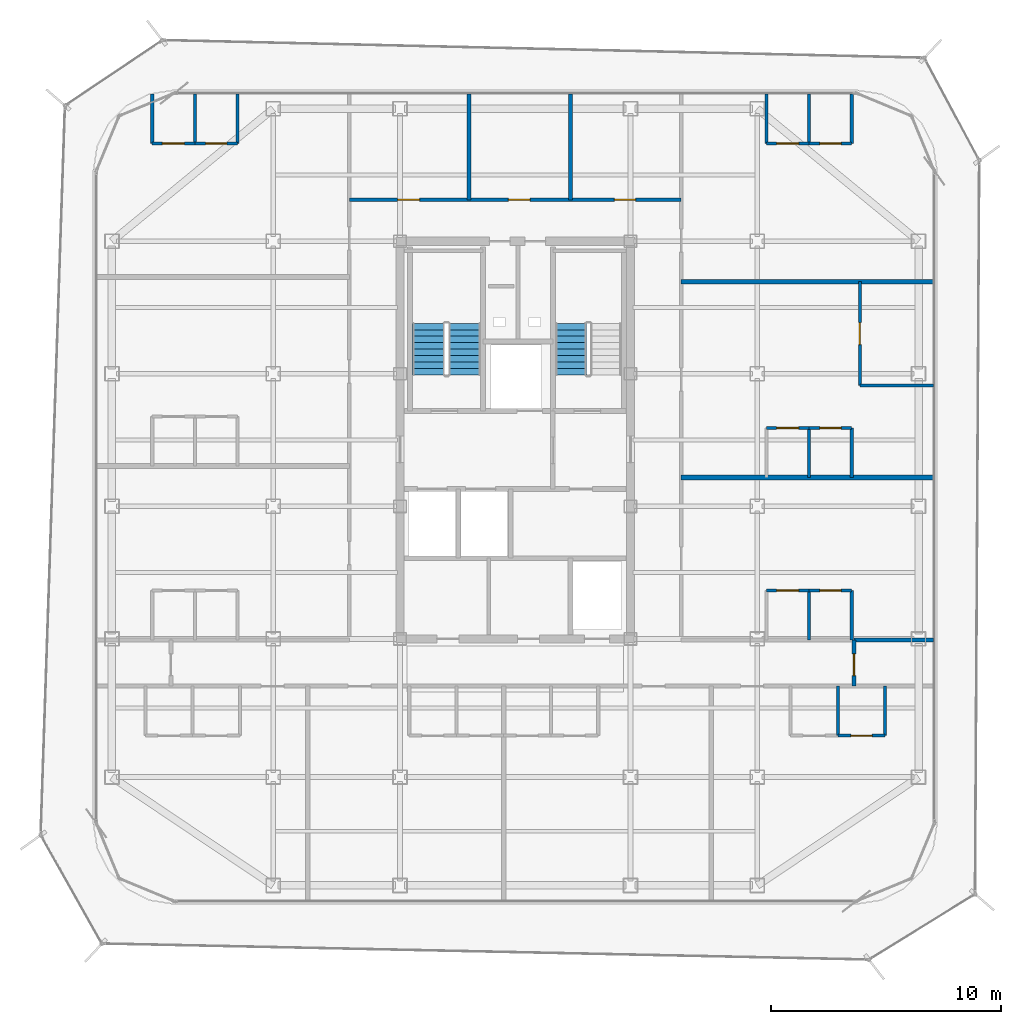
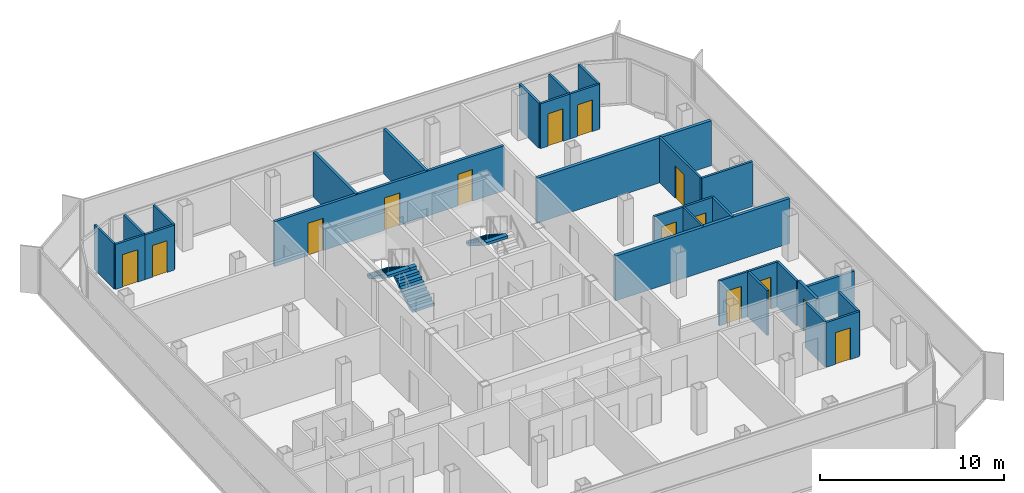
# One storey, part 12 of 16: 30 walls, 14 doors, 3 stair flights, 14 openings, 2 elements without a shape of their own.
"""IFC4 building model written with IfcOpenShell, lengths in metres."""

from ifc_helpers import new_model, si_unit, direction, frame, frame_2d, origin, place, context, subcontext, project, spatial, polyline, rectangle, outline, extrude, material, layer, layer_set, type_object, element, fill, aggregate, save


model = new_model("IFC4")

# Units and contexts
model_context = context("Model", 3, precision=1e-05, world=origin(), true_north=direction((0.0, 1.0)))
body_context = subcontext(model_context, "Body", "Model", "MODEL_VIEW")
ifc_project = project(units=[si_unit("LENGTHUNIT", "METRE"), si_unit("AREAUNIT", "SQUARE_METRE"), si_unit("VOLUMEUNIT", "CUBIC_METRE"), si_unit("PLANEANGLEUNIT", "RADIAN"), si_unit("MASSUNIT", "GRAM", prefix="KILO")], contexts=[model_context])

# Site, building, storey
site_placement = place(None, origin())
site = spatial("IfcSite", under=ifc_project, at=site_placement, CompositionType="ELEMENT")
building_placement = place(site_placement, origin())
building = spatial("IfcBuilding", under=site, at=building_placement, Name="Kolveth Station Tower", CompositionType="ELEMENT")
storey_placement = place(building_placement, frame((0.0, 0.0, 232.89990234375)))
storey = spatial("IfcBuildingStorey", under=building, at=storey_placement, Name="L66", CompositionType="ELEMENT", Elevation=232.89990234375)

# Wall, opening, door
ifc_material_1 = material(Name="Moisture-resistant gypsum partition")
ifc_layer_1 = layer(ifc_material_1, 0.135009765625)
ifc_layer_set_1 = layer_set([ifc_layer_1], Name="Moisture-resistant gypsum partition")
wall_type_1 = type_object("IfcWallType", Name="Wall_IW-135", PredefinedType="PARTITIONING", material=ifc_layer_set_1)
wall_1_placement = place(storey_placement, frame((37.5, 7.300048828125, 0.0), z_axis=(0.0, 0.0, 1.0), x_axis=(1.0, 0.0, 0.0)))
wall_1 = element("IfcWall", 1, at=wall_1_placement, inside=storey, type_object=wall_type_1, Name="L66 Partition Wall WL-L66-A4-IBHB", PredefinedType="PARTITIONING", context=body_context, shape_type="SweptSolid", body=[
    extrude(rectangle(XDim=2.050048828125, YDim=0.135009765625, at=frame_2d((1.02490234375, 0.0))), origin(), (0.0, 0.0, 1.0), 2.97998046875),
])
opening_1_placement = place(wall_1_placement, frame((0.56494140625, 0.0, 0.0)))
opening_1 = element("IfcOpeningElement", 2, at=opening_1_placement, cuts=wall_1, Name="Opening ID2", PredefinedType="OPENING", context=body_context, shape_type="SweptSolid", body=[
    extrude(rectangle(XDim=0.919921875, YDim=2.10009765625, at=frame_2d((0.4599609375, 1.050048828125))), frame((0.0, 0.077392578125, 0.0), z_axis=(0.0, -1.0, 0.0), x_axis=(1.0, 0.0, 0.0)), (0.0, 0.0, 1.0), 0.155029296875),
])
ifc_material_2 = material(Name="Moisture-resistant hardwood leaf", Category="wood")
door_type_1 = type_object("IfcDoorType", Name="Door_ID2", OperationType="NOTDEFINED", PredefinedType="DOOR", material=ifc_material_2)
door_1_placement = place(opening_1_placement, origin())
door_1 = element("IfcDoor", 3, at=door_1_placement, inside=storey, type_object=door_type_1, Name="Flat L66-A4 Bathroom Door", OperationType="SINGLE_SWING_RIGHT", OverallHeight=2.10009765625, OverallWidth=0.919921875, PredefinedType="DOOR", context=body_context, shape_type="SweptSolid", body=[
    extrude(rectangle(XDim=0.919921875, YDim=2.10009765625, at=frame_2d((0.4599609375, 1.050048828125))), frame((0.0, 0.02490234375, 0.0), z_axis=(0.0, -1.0, 0.0), x_axis=(1.0, 0.0, 0.0)), (0.0, 0.0, 1.0), 0.050048828125),
])
fill(opening_1, door_1)

# Walls
for number, where, z_axis, x_axis, name in (
    (4, (37.5, 7.300048828125, 0.0), (0.0, 0.0, 1.0), (0.0, 1.0, 0.0), "L66 Partition Wall WL-L66-A4-IBV1"),
    (5, (39.550048828125, 7.300048828125, 0.0), (0.0, 0.0, 1.0), (0.0, 1.0, 0.0), "L66 Partition Wall WL-L66-A4-IBV2"),
):
    element("IfcWall", number, at=place(storey_placement, frame(where, z_axis=z_axis, x_axis=x_axis)), inside=storey, type_object=wall_type_1, Name=name, PredefinedType="PARTITIONING", context=body_context, shape_type="SweptSolid", body=[
        extrude(rectangle(XDim=2.14990234375, YDim=0.135009765625, at=frame_2d((1.074951171875, 0.0))), origin(), (0.0, 0.0, 1.0), 2.97998046875),
    ])

# Wall, opening, door
wall_2_placement = place(storey_placement, frame((7.75, 32.989990234375, 0.0), z_axis=(0.0, 0.0, 1.0), x_axis=(1.0, 0.0, 0.0)))
wall_2 = element("IfcWall", 6, at=wall_2_placement, inside=storey, type_object=wall_type_1, Name="L66 Partition Wall WL-L66-W3-IBHK", PredefinedType="PARTITIONING", context=body_context, shape_type="SweptSolid", body=[
    extrude(rectangle(XDim=1.85009765625, YDim=0.135009765625, at=frame_2d((0.925048828125, 0.0))), origin(), (0.0, 0.0, 1.0), 2.97998046875),
])
opening_2_placement = place(wall_2_placement, frame((0.445068359375, 0.0, 0.0)))
opening_2 = element("IfcOpeningElement", 7, at=opening_2_placement, cuts=wall_2, Name="Opening ID1", PredefinedType="OPENING", context=body_context, shape_type="SweptSolid", body=[
    extrude(rectangle(XDim=0.949951171875, YDim=2.14990234375, at=frame_2d((0.47509765625, 1.074951171875))), frame((0.0, 0.077392578125, 0.0), z_axis=(0.0, -1.0, 0.0), x_axis=(1.0, 0.0, 0.0)), (0.0, 0.0, 1.0), 0.155029296875),
])
ifc_material_3 = material(Name="Acoustic hardwood leaf and aluminium frame", Category="wood")
door_type_2 = type_object("IfcDoorType", Name="Door_ID1", OperationType="NOTDEFINED", PredefinedType="DOOR", material=ifc_material_3)
door_2_placement = place(opening_2_placement, frame((0.949951171875, 0.0, 0.0), z_axis=(0.0, 0.0, 1.0), x_axis=(-1.0, 0.0, 0.0)))
door_2 = element("IfcDoor", 8, at=door_2_placement, inside=storey, type_object=door_type_2, Name="Flat L66-W3 Kitchen Door", OperationType="SINGLE_SWING_RIGHT", OverallHeight=2.14990234375, OverallWidth=0.949951171875, PredefinedType="DOOR", context=body_context, shape_type="SweptSolid", body=[
    extrude(rectangle(XDim=0.949951171875, YDim=2.14990234375, at=frame_2d((0.47509765625, 1.074951171875))), frame((0.0, 0.02490234375, 0.0), z_axis=(0.0, -1.0, 0.0), x_axis=(1.0, 0.0, 0.0)), (0.0, 0.0, 1.0), 0.050048828125),
])
fill(opening_2, door_2)

wall_3_placement = place(storey_placement, frame((9.60009765625, 32.989990234375, 0.0), z_axis=(0.0, 0.0, 1.0), x_axis=(1.0, 0.0, 0.0)))
wall_3 = element("IfcWall", 9, at=wall_3_placement, inside=storey, type_object=wall_type_1, Name="L66 Partition Wall WL-L66-W3-IBHB", PredefinedType="PARTITIONING", context=body_context, shape_type="SweptSolid", body=[
    extrude(rectangle(XDim=1.849853515625, YDim=0.135009765625, at=frame_2d((0.9248046875, 0.0))), origin(), (0.0, 0.0, 1.0), 2.97998046875),
])
opening_3_placement = place(wall_3_placement, frame((0.465087890625, 0.0, 0.0)))
opening_3 = element("IfcOpeningElement", 10, at=opening_3_placement, cuts=wall_3, Name="Opening ID2", PredefinedType="OPENING", context=body_context, shape_type="SweptSolid", body=[
    extrude(rectangle(XDim=0.919921875, YDim=2.10009765625, at=frame_2d((0.4599609375, 1.050048828125))), frame((0.0, 0.077392578125, 0.0), z_axis=(0.0, -1.0, 0.0), x_axis=(1.0, 0.0, 0.0)), (0.0, 0.0, 1.0), 0.155029296875),
])
door_3_placement = place(opening_3_placement, frame((0.919921875, 0.0, 0.0), z_axis=(0.0, 0.0, 1.0), x_axis=(-1.0, 0.0, 0.0)))
door_3 = element("IfcDoor", 11, at=door_3_placement, inside=storey, type_object=door_type_1, Name="Flat L66-W3 Bathroom Door", OperationType="SINGLE_SWING_LEFT", OverallHeight=2.10009765625, OverallWidth=0.919921875, PredefinedType="DOOR", context=body_context, shape_type="SweptSolid", body=[
    extrude(rectangle(XDim=0.919921875, YDim=2.10009765625, at=frame_2d((0.4599609375, 1.050048828125))), frame((0.0, 0.02490234375, 0.0), z_axis=(0.0, -1.0, 0.0), x_axis=(1.0, 0.0, 0.0)), (0.0, 0.0, 1.0), 0.050048828125),
])
fill(opening_3, door_3)

# Walls
for number, where, z_axis, x_axis, name in (
    (12, (7.75, 32.989990234375, 0.0), (0.0, 0.0, 1.0), (0.0, 1.0, 0.0), "L66 Partition Wall WL-L66-W3-IBV0"),
    (13, (9.60009765625, 32.989990234375, 0.0), (0.0, 0.0, 1.0), (0.0, 1.0, 0.0), "L66 Partition Wall WL-L66-W3-IBV1"),
    (14, (11.449951171875, 32.989990234375, 0.0), (0.0, 0.0, 1.0), (0.0, 1.0, 0.0), "L66 Partition Wall WL-L66-W3-IBV2"),
):
    element("IfcWall", number, at=place(storey_placement, frame(where, z_axis=z_axis, x_axis=x_axis)), inside=storey, type_object=wall_type_1, Name=name, PredefinedType="PARTITIONING", context=body_context, shape_type="SweptSolid", body=[
        extrude(rectangle(XDim=2.14990234375, YDim=0.135009765625, at=frame_2d((1.074951171875, 0.0))), origin(), (0.0, 0.0, 1.0), 2.97998046875),
    ])

# Wall, opening, door
wall_4_placement = place(storey_placement, frame((34.39990234375, 13.60009765625, 0.0), z_axis=(0.0, 0.0, 1.0), x_axis=(1.0, 0.0, 0.0)))
wall_4 = element("IfcWall", 15, at=wall_4_placement, inside=storey, type_object=wall_type_1, Name="L66 Partition Wall WL-L66-E1-IBHK", PredefinedType="PARTITIONING", context=body_context, shape_type="SweptSolid", body=[
    extrude(rectangle(XDim=1.85009765625, YDim=0.135009765625, at=frame_2d((0.925048828125, 0.0))), origin(), (0.0, 0.0, 1.0), 2.97998046875),
])
opening_4_placement = place(wall_4_placement, frame((0.445068359375, 0.0, 0.0)))
opening_4 = element("IfcOpeningElement", 16, at=opening_4_placement, cuts=wall_4, Name="Opening ID1", PredefinedType="OPENING", context=body_context, shape_type="SweptSolid", body=[
    extrude(rectangle(XDim=0.949951171875, YDim=2.14990234375, at=frame_2d((0.47509765625, 1.074951171875))), frame((0.0, 0.077392578125, 0.0), z_axis=(0.0, -1.0, 0.0), x_axis=(1.0, 0.0, 0.0)), (0.0, 0.0, 1.0), 0.155029296875),
])
door_4_placement = place(opening_4_placement, origin())
door_4 = element("IfcDoor", 17, at=door_4_placement, inside=storey, type_object=door_type_2, Name="Flat L66-E1 Kitchen Door", OperationType="SINGLE_SWING_LEFT", OverallHeight=2.14990234375, OverallWidth=0.949951171875, PredefinedType="DOOR", context=body_context, shape_type="SweptSolid", body=[
    extrude(rectangle(XDim=0.949951171875, YDim=2.14990234375, at=frame_2d((0.47509765625, 1.074951171875))), frame((0.0, 0.02490234375, 0.0), z_axis=(0.0, -1.0, 0.0), x_axis=(1.0, 0.0, 0.0)), (0.0, 0.0, 1.0), 0.050048828125),
])
fill(opening_4, door_4)

wall_5_placement = place(storey_placement, frame((36.25, 13.60009765625, 0.0), z_axis=(0.0, 0.0, 1.0), x_axis=(1.0, 0.0, 0.0)))
wall_5 = element("IfcWall", 18, at=wall_5_placement, inside=storey, type_object=wall_type_1, Name="L66 Partition Wall WL-L66-E1-IBHB", PredefinedType="PARTITIONING", context=body_context, shape_type="SweptSolid", body=[
    extrude(rectangle(XDim=1.85009765625, YDim=0.135009765625, at=frame_2d((0.925048828125, 0.0))), origin(), (0.0, 0.0, 1.0), 2.97998046875),
])
opening_5_placement = place(wall_5_placement, frame((0.465087890625, 0.0, 0.0)))
opening_5 = element("IfcOpeningElement", 19, at=opening_5_placement, cuts=wall_5, Name="Opening ID2", PredefinedType="OPENING", context=body_context, shape_type="SweptSolid", body=[
    extrude(rectangle(XDim=0.919921875, YDim=2.10009765625, at=frame_2d((0.4599609375, 1.050048828125))), frame((0.0, 0.077392578125, 0.0), z_axis=(0.0, -1.0, 0.0), x_axis=(1.0, 0.0, 0.0)), (0.0, 0.0, 1.0), 0.155029296875),
])
door_5_placement = place(opening_5_placement, origin())
door_5 = element("IfcDoor", 20, at=door_5_placement, inside=storey, type_object=door_type_1, Name="Flat L66-E1 Bathroom Door", OperationType="SINGLE_SWING_RIGHT", OverallHeight=2.10009765625, OverallWidth=0.919921875, PredefinedType="DOOR", context=body_context, shape_type="SweptSolid", body=[
    extrude(rectangle(XDim=0.919921875, YDim=2.10009765625, at=frame_2d((0.4599609375, 1.050048828125))), frame((0.0, 0.02490234375, 0.0), z_axis=(0.0, -1.0, 0.0), x_axis=(1.0, 0.0, 0.0)), (0.0, 0.0, 1.0), 0.050048828125),
])
fill(opening_5, door_5)

# Walls
for number, where, z_axis, x_axis, name in (
    (21, (36.25, 11.449951171875, 0.0), (0.0, 0.0, 1.0), (0.0, 1.0, 0.0), "L66 Partition Wall WL-L66-E1-IBV1"),
    (22, (38.10009765625, 11.449951171875, 0.0), (0.0, 0.0, 1.0), (0.0, 1.0, 0.0), "L66 Partition Wall WL-L66-E1-IBV2"),
):
    element("IfcWall", number, at=place(storey_placement, frame(where, z_axis=z_axis, x_axis=x_axis)), inside=storey, type_object=wall_type_1, Name=name, PredefinedType="PARTITIONING", context=body_context, shape_type="SweptSolid", body=[
        extrude(rectangle(XDim=2.150146484375, YDim=0.135009765625, at=frame_2d((1.0751953125, 0.0))), origin(), (0.0, 0.0, 1.0), 2.97998046875),
    ])

# Wall, opening, door
wall_6_placement = place(storey_placement, frame((34.39990234375, 20.64990234375, 0.0), z_axis=(0.0, 0.0, 1.0), x_axis=(1.0, 0.0, 0.0)))
wall_6 = element("IfcWall", 23, at=wall_6_placement, inside=storey, type_object=wall_type_1, Name="L66 Partition Wall WL-L66-E2-IBHK", PredefinedType="PARTITIONING", context=body_context, shape_type="SweptSolid", body=[
    extrude(rectangle(XDim=1.85009765625, YDim=0.135009765625, at=frame_2d((0.925048828125, 0.0))), origin(), (0.0, 0.0, 1.0), 2.97998046875),
])
opening_6_placement = place(wall_6_placement, frame((0.445068359375, 0.0, 0.0)))
opening_6 = element("IfcOpeningElement", 24, at=opening_6_placement, cuts=wall_6, Name="Opening ID1", PredefinedType="OPENING", context=body_context, shape_type="SweptSolid", body=[
    extrude(rectangle(XDim=0.949951171875, YDim=2.14990234375, at=frame_2d((0.47509765625, 1.074951171875))), frame((0.0, 0.077392578125, 0.0), z_axis=(0.0, -1.0, 0.0), x_axis=(1.0, 0.0, 0.0)), (0.0, 0.0, 1.0), 0.155029296875),
])
door_6_placement = place(opening_6_placement, origin())
door_6 = element("IfcDoor", 25, at=door_6_placement, inside=storey, type_object=door_type_2, Name="Flat L66-E2 Kitchen Door", OperationType="SINGLE_SWING_RIGHT", OverallHeight=2.14990234375, OverallWidth=0.949951171875, PredefinedType="DOOR", context=body_context, shape_type="SweptSolid", body=[
    extrude(rectangle(XDim=0.949951171875, YDim=2.14990234375, at=frame_2d((0.47509765625, 1.074951171875))), frame((0.0, 0.02490234375, 0.0), z_axis=(0.0, -1.0, 0.0), x_axis=(1.0, 0.0, 0.0)), (0.0, 0.0, 1.0), 0.050048828125),
])
fill(opening_6, door_6)

wall_7_placement = place(storey_placement, frame((36.25, 20.64990234375, 0.0), z_axis=(0.0, 0.0, 1.0), x_axis=(1.0, 0.0, 0.0)))
wall_7 = element("IfcWall", 26, at=wall_7_placement, inside=storey, type_object=wall_type_1, Name="L66 Partition Wall WL-L66-E2-IBHB", PredefinedType="PARTITIONING", context=body_context, shape_type="SweptSolid", body=[
    extrude(rectangle(XDim=1.85009765625, YDim=0.135009765625, at=frame_2d((0.925048828125, 0.0))), origin(), (0.0, 0.0, 1.0), 2.97998046875),
])
opening_7_placement = place(wall_7_placement, frame((0.465087890625, 0.0, 0.0)))
opening_7 = element("IfcOpeningElement", 27, at=opening_7_placement, cuts=wall_7, Name="Opening ID2", PredefinedType="OPENING", context=body_context, shape_type="SweptSolid", body=[
    extrude(rectangle(XDim=0.919921875, YDim=2.10009765625, at=frame_2d((0.4599609375, 1.050048828125))), frame((0.0, 0.077392578125, 0.0), z_axis=(0.0, -1.0, 0.0), x_axis=(1.0, 0.0, 0.0)), (0.0, 0.0, 1.0), 0.155029296875),
])
door_7_placement = place(opening_7_placement, origin())
door_7 = element("IfcDoor", 28, at=door_7_placement, inside=storey, type_object=door_type_1, Name="Flat L66-E2 Bathroom Door", OperationType="SINGLE_SWING_LEFT", OverallHeight=2.10009765625, OverallWidth=0.919921875, PredefinedType="DOOR", context=body_context, shape_type="SweptSolid", body=[
    extrude(rectangle(XDim=0.919921875, YDim=2.10009765625, at=frame_2d((0.4599609375, 1.050048828125))), frame((0.0, 0.02490234375, 0.0), z_axis=(0.0, -1.0, 0.0), x_axis=(1.0, 0.0, 0.0)), (0.0, 0.0, 1.0), 0.050048828125),
])
fill(opening_7, door_7)

# Walls
for number, where, z_axis, x_axis, name in (
    (29, (36.25, 18.5, 0.0), (0.0, 0.0, 1.0), (0.0, 1.0, 0.0), "L66 Partition Wall WL-L66-E2-IBV1"),
    (30, (38.10009765625, 18.5, 0.0), (0.0, 0.0, 1.0), (0.0, 1.0, 0.0), "L66 Partition Wall WL-L66-E2-IBV2"),
):
    element("IfcWall", number, at=place(storey_placement, frame(where, z_axis=z_axis, x_axis=x_axis)), inside=storey, type_object=wall_type_1, Name=name, PredefinedType="PARTITIONING", context=body_context, shape_type="SweptSolid", body=[
        extrude(rectangle(XDim=2.14990234375, YDim=0.135009765625, at=frame_2d((1.074951171875, 0.0))), origin(), (0.0, 0.0, 1.0), 2.97998046875),
    ])
wall_8_placement = place(storey_placement, frame((38.449951171875, 22.5, 0.0), z_axis=(0.0, 0.0, 1.0), x_axis=(1.0, 0.0, 0.0)))
element("IfcWall", 31, at=wall_8_placement, inside=storey, type_object=wall_type_1, Name="L66 Partition Wall WL-L66-E2-BDH0", PredefinedType="PARTITIONING", context=body_context, shape_type="SweptSolid", body=[
    extrude(rectangle(XDim=3.18994140625, YDim=0.135009765625, at=frame_2d((1.594970703125, 0.0))), origin(), (0.0, 0.0, 1.0), 2.97998046875),
])

# Wall, opening, door
wall_9_placement = place(storey_placement, frame((38.449951171875, 22.5, 0.0), z_axis=(0.0, 0.0, 1.0), x_axis=(0.0, 1.0, 0.0)))
wall_9 = element("IfcWall", 32, at=wall_9_placement, inside=storey, type_object=wall_type_1, Name="L66 Partition Wall WL-L66-E2-BDV1", PredefinedType="PARTITIONING", context=body_context, shape_type="SweptSolid", body=[
    extrude(rectangle(XDim=4.5, YDim=0.135009765625, at=frame_2d((2.25, 0.0))), origin(), (0.0, 0.0, 1.0), 2.97998046875),
])
opening_8_placement = place(wall_9_placement, frame((1.77001953125, 0.0, 0.0)))
opening_8 = element("IfcOpeningElement", 33, at=opening_8_placement, cuts=wall_9, Name="Opening ID1", PredefinedType="OPENING", context=body_context, shape_type="SweptSolid", body=[
    extrude(rectangle(XDim=0.949951171875, YDim=2.14990234375, at=frame_2d((0.47509765625, 1.074951171875))), frame((0.0, 0.077392578125, 0.0), z_axis=(0.0, -1.0, 0.0), x_axis=(1.0, 0.0, 0.0)), (0.0, 0.0, 1.0), 0.155029296875),
])
door_8_placement = place(opening_8_placement, frame((0.949951171875, 0.0, 0.0), z_axis=(0.0, 0.0, 1.0), x_axis=(-1.0, 0.0, 0.0)))
door_8 = element("IfcDoor", 34, at=door_8_placement, inside=storey, type_object=door_type_2, Name="Flat L66-E2 Bedroom 1 Door", OperationType="SINGLE_SWING_LEFT", OverallHeight=2.14990234375, OverallWidth=0.949951171875, PredefinedType="DOOR", context=body_context, shape_type="SweptSolid", body=[
    extrude(rectangle(XDim=0.949951171875, YDim=2.14990234375, at=frame_2d((0.47509765625, 1.074951171875))), frame((0.0, 0.02490234375, 0.0), z_axis=(0.0, -1.0, 0.0), x_axis=(1.0, 0.0, 0.0)), (0.0, 0.0, 1.0), 0.050048828125),
])
fill(opening_8, door_8)

wall_10_placement = place(storey_placement, frame((34.39990234375, 32.989990234375, 0.0), z_axis=(0.0, 0.0, 1.0), x_axis=(1.0, 0.0, 0.0)))
wall_10 = element("IfcWall", 35, at=wall_10_placement, inside=storey, type_object=wall_type_1, Name="L66 Partition Wall WL-L66-E3-IBHK", PredefinedType="PARTITIONING", context=body_context, shape_type="SweptSolid", body=[
    extrude(rectangle(XDim=1.85009765625, YDim=0.135009765625, at=frame_2d((0.925048828125, 0.0))), origin(), (0.0, 0.0, 1.0), 2.97998046875),
])
opening_9_placement = place(wall_10_placement, frame((0.445068359375, 0.0, 0.0)))
opening_9 = element("IfcOpeningElement", 36, at=opening_9_placement, cuts=wall_10, Name="Opening ID1", PredefinedType="OPENING", context=body_context, shape_type="SweptSolid", body=[
    extrude(rectangle(XDim=0.949951171875, YDim=2.14990234375, at=frame_2d((0.47509765625, 1.074951171875))), frame((0.0, 0.077392578125, 0.0), z_axis=(0.0, -1.0, 0.0), x_axis=(1.0, 0.0, 0.0)), (0.0, 0.0, 1.0), 0.155029296875),
])
door_9_placement = place(opening_9_placement, frame((0.949951171875, 0.0, 0.0), z_axis=(0.0, 0.0, 1.0), x_axis=(-1.0, 0.0, 0.0)))
door_9 = element("IfcDoor", 37, at=door_9_placement, inside=storey, type_object=door_type_2, Name="Flat L66-E3 Kitchen Door", OperationType="SINGLE_SWING_RIGHT", OverallHeight=2.14990234375, OverallWidth=0.949951171875, PredefinedType="DOOR", context=body_context, shape_type="SweptSolid", body=[
    extrude(rectangle(XDim=0.949951171875, YDim=2.14990234375, at=frame_2d((0.47509765625, 1.074951171875))), frame((0.0, 0.02490234375, 0.0), z_axis=(0.0, -1.0, 0.0), x_axis=(1.0, 0.0, 0.0)), (0.0, 0.0, 1.0), 0.050048828125),
])
fill(opening_9, door_9)

wall_11_placement = place(storey_placement, frame((36.25, 32.989990234375, 0.0), z_axis=(0.0, 0.0, 1.0), x_axis=(1.0, 0.0, 0.0)))
wall_11 = element("IfcWall", 38, at=wall_11_placement, inside=storey, type_object=wall_type_1, Name="L66 Partition Wall WL-L66-E3-IBHB", PredefinedType="PARTITIONING", context=body_context, shape_type="SweptSolid", body=[
    extrude(rectangle(XDim=1.85009765625, YDim=0.135009765625, at=frame_2d((0.925048828125, 0.0))), origin(), (0.0, 0.0, 1.0), 2.97998046875),
])
opening_10_placement = place(wall_11_placement, frame((0.465087890625, 0.0, 0.0)))
opening_10 = element("IfcOpeningElement", 39, at=opening_10_placement, cuts=wall_11, Name="Opening ID2", PredefinedType="OPENING", context=body_context, shape_type="SweptSolid", body=[
    extrude(rectangle(XDim=0.919921875, YDim=2.10009765625, at=frame_2d((0.4599609375, 1.050048828125))), frame((0.0, 0.077392578125, 0.0), z_axis=(0.0, -1.0, 0.0), x_axis=(1.0, 0.0, 0.0)), (0.0, 0.0, 1.0), 0.155029296875),
])
door_10_placement = place(opening_10_placement, frame((0.919921875, 0.0, 0.0), z_axis=(0.0, 0.0, 1.0), x_axis=(-1.0, 0.0, 0.0)))
door_10 = element("IfcDoor", 40, at=door_10_placement, inside=storey, type_object=door_type_1, Name="Flat L66-E3 Bathroom Door", OperationType="SINGLE_SWING_LEFT", OverallHeight=2.10009765625, OverallWidth=0.919921875, PredefinedType="DOOR", context=body_context, shape_type="SweptSolid", body=[
    extrude(rectangle(XDim=0.919921875, YDim=2.10009765625, at=frame_2d((0.4599609375, 1.050048828125))), frame((0.0, 0.02490234375, 0.0), z_axis=(0.0, -1.0, 0.0), x_axis=(1.0, 0.0, 0.0)), (0.0, 0.0, 1.0), 0.050048828125),
])
fill(opening_10, door_10)

# Walls
for number, where, z_axis, x_axis, name in (
    (41, (34.39990234375, 32.989990234375, 0.0), (0.0, 0.0, 1.0), (0.0, 1.0, 0.0), "L66 Partition Wall WL-L66-E3-IBV0"),
    (42, (36.25, 32.989990234375, 0.0), (0.0, 0.0, 1.0), (0.0, 1.0, 0.0), "L66 Partition Wall WL-L66-E3-IBV1"),
    (43, (38.10009765625, 32.989990234375, 0.0), (0.0, 0.0, 1.0), (0.0, 1.0, 0.0), "L66 Partition Wall WL-L66-E3-IBV2"),
):
    element("IfcWall", number, at=place(storey_placement, frame(where, z_axis=z_axis, x_axis=x_axis)), inside=storey, type_object=wall_type_1, Name=name, PredefinedType="PARTITIONING", context=body_context, shape_type="SweptSolid", body=[
        extrude(rectangle(XDim=2.14990234375, YDim=0.135009765625, at=frame_2d((1.074951171875, 0.0))), origin(), (0.0, 0.0, 1.0), 2.97998046875),
    ])

# Wall, opening, door
ifc_material_4 = material(Name="Acoustic double-stud gypsum partition")
ifc_layer_2 = layer(ifc_material_4, 0.1650390625)
ifc_layer_set_2 = layer_set([ifc_layer_2], Name="Acoustic double-stud gypsum partition")
wall_type_2 = type_object("IfcWallType", Name="Wall_IW-165", PredefinedType="PARTITIONING", material=ifc_layer_set_2)
wall_12_placement = place(storey_placement, frame((38.199951171875, 9.449951171875, 0.0), z_axis=(0.0, 0.0, 1.0), x_axis=(0.0, 1.0, 0.0)))
wall_12 = element("IfcWall", 44, at=wall_12_placement, inside=storey, type_object=wall_type_2, Name="L66 Partition Wall WL-L66-RSEE", PredefinedType="PARTITIONING", context=body_context, shape_type="SweptSolid", body=[
    extrude(rectangle(XDim=2.0, YDim=0.1650390625, at=frame_2d((1.0, 0.0))), origin(), (0.0, 0.0, 1.0), 2.97998046875),
])
opening_11_placement = place(wall_12_placement, frame((0.449951171875, 0.0, 0.0)))
opening_11 = element("IfcOpeningElement", 45, at=opening_11_placement, cuts=wall_12, Name="Opening ID1", PredefinedType="OPENING", context=body_context, shape_type="SweptSolid", body=[
    extrude(rectangle(XDim=0.949951171875, YDim=2.14990234375, at=frame_2d((0.47509765625, 1.074951171875))), frame((0.0, 0.092529296875, 0.0), z_axis=(0.0, -1.0, 0.0), x_axis=(1.0, 0.0, 0.0)), (0.0, 0.0, 1.0), 0.18505859375),
])
door_11_placement = place(opening_11_placement, origin())
door_11 = element("IfcDoor", 46, at=door_11_placement, inside=storey, type_object=door_type_2, Name="L66 Hobby Study Door", OperationType="SINGLE_SWING_LEFT", OverallHeight=2.14990234375, OverallWidth=0.949951171875, PredefinedType="DOOR", context=body_context, shape_type="SweptSolid", body=[
    extrude(rectangle(XDim=0.949951171875, YDim=2.14990234375, at=frame_2d((0.47509765625, 1.074951171875))), frame((0.0, 0.02490234375, 0.0), z_axis=(0.0, -1.0, 0.0), x_axis=(1.0, 0.0, 0.0)), (0.0, 0.0, 1.0), 0.050048828125),
])
fill(opening_11, door_11)

# Wall, openings, doors
wall_13_placement = place(storey_placement, frame((16.300048828125, 30.550048828125, 0.0), z_axis=(0.0, 0.0, 1.0), x_axis=(1.0, 0.0, 0.0)))
wall_13 = element("IfcWall", 47, at=wall_13_placement, inside=storey, type_object=wall_type_2, Name="L66 Partition Wall WL-L66-RN", PredefinedType="PARTITIONING", context=body_context, shape_type="SweptSolid", body=[
    extrude(rectangle(XDim=14.39990234375, YDim=0.1650390625, at=frame_2d((7.199951171875, 0.0))), origin(), (0.0, 0.0, 1.0), 2.97998046875),
])
opening_12_placement = place(wall_13_placement, frame((2.10009765625, 0.0, 0.0)))
opening_12 = element("IfcOpeningElement", 48, at=opening_12_placement, cuts=wall_13, Name="Opening ID1", PredefinedType="OPENING", context=body_context, shape_type="SweptSolid", body=[
    extrude(rectangle(XDim=0.949951171875, YDim=2.14990234375, at=frame_2d((0.47509765625, 1.074951171875))), frame((0.0, 0.092529296875, 0.0), z_axis=(0.0, -1.0, 0.0), x_axis=(1.0, 0.0, 0.0)), (0.0, 0.0, 1.0), 0.18505859375),
])
opening_13_placement = place(wall_13_placement, frame((6.89990234375, 0.0, 0.0)))
opening_13 = element("IfcOpeningElement", 49, at=opening_13_placement, cuts=wall_13, Name="Opening ID1", PredefinedType="OPENING", context=body_context, shape_type="SweptSolid", body=[
    extrude(rectangle(XDim=0.949951171875, YDim=2.14990234375, at=frame_2d((0.47509765625, 1.074951171875))), frame((0.0, 0.092529296875, 0.0), z_axis=(0.0, -1.0, 0.0), x_axis=(1.0, 0.0, 0.0)), (0.0, 0.0, 1.0), 0.18505859375),
])
opening_14_placement = place(wall_13_placement, frame((11.5, 0.0, 0.0)))
opening_14 = element("IfcOpeningElement", 50, at=opening_14_placement, cuts=wall_13, Name="Opening ID2", PredefinedType="OPENING", context=body_context, shape_type="SweptSolid", body=[
    extrude(rectangle(XDim=0.919921875, YDim=2.10009765625, at=frame_2d((0.4599609375, 1.050048828125))), frame((0.0, 0.092529296875, 0.0), z_axis=(0.0, -1.0, 0.0), x_axis=(1.0, 0.0, 0.0)), (0.0, 0.0, 1.0), 0.18505859375),
])
door_12_placement = place(opening_12_placement, origin())
door_12 = element("IfcDoor", 51, at=door_12_placement, inside=storey, type_object=door_type_2, Name="L66 Quiet Study 1 Door", OperationType="SINGLE_SWING_LEFT", OverallHeight=2.14990234375, OverallWidth=0.949951171875, PredefinedType="DOOR", context=body_context, shape_type="SweptSolid", body=[
    extrude(rectangle(XDim=0.949951171875, YDim=2.14990234375, at=frame_2d((0.47509765625, 1.074951171875))), frame((0.0, 0.02490234375, 0.0), z_axis=(0.0, -1.0, 0.0), x_axis=(1.0, 0.0, 0.0)), (0.0, 0.0, 1.0), 0.050048828125),
])
fill(opening_12, door_12)
door_13_placement = place(opening_13_placement, origin())
door_13 = element("IfcDoor", 52, at=door_13_placement, inside=storey, type_object=door_type_2, Name="L66 Quiet Study 2 Door", OperationType="SINGLE_SWING_RIGHT", OverallHeight=2.14990234375, OverallWidth=0.949951171875, PredefinedType="DOOR", context=body_context, shape_type="SweptSolid", body=[
    extrude(rectangle(XDim=0.949951171875, YDim=2.14990234375, at=frame_2d((0.47509765625, 1.074951171875))), frame((0.0, 0.02490234375, 0.0), z_axis=(0.0, -1.0, 0.0), x_axis=(1.0, 0.0, 0.0)), (0.0, 0.0, 1.0), 0.050048828125),
])
fill(opening_13, door_13)
door_14_placement = place(opening_14_placement, origin())
door_14 = element("IfcDoor", 53, at=door_14_placement, inside=storey, type_object=door_type_1, Name="L66 Accessible Residents' WC Door", OperationType="SINGLE_SWING_LEFT", OverallHeight=2.10009765625, OverallWidth=0.919921875, PredefinedType="DOOR", context=body_context, shape_type="SweptSolid", body=[
    extrude(rectangle(XDim=0.919921875, YDim=2.10009765625, at=frame_2d((0.4599609375, 1.050048828125))), frame((0.0, 0.02490234375, 0.0), z_axis=(0.0, -1.0, 0.0), x_axis=(1.0, 0.0, 0.0)), (0.0, 0.0, 1.0), 0.050048828125),
])
fill(opening_14, door_14)

# Walls
wall_14_placement = place(storey_placement, frame((38.199951171875, 11.449951171875, 0.0), z_axis=(0.0, 0.0, 1.0), x_axis=(1.0, 0.0, 0.0)))
element("IfcWall", 54, at=wall_14_placement, inside=storey, type_object=wall_type_2, Name="L66 Partition Wall WL-L66-ESTN", PredefinedType="PARTITIONING", context=body_context, shape_type="SweptSolid", body=[
    extrude(rectangle(XDim=3.43994140625, YDim=0.1650390625, at=frame_2d((1.719970703125, 0.0))), origin(), (0.0, 0.0, 1.0), 2.427978515625),
])
for number, where, z_axis, x_axis, name in (
    (55, (21.5, 30.550048828125, 0.0), (0.0, 0.0, 1.0), (0.0, 1.0, 0.0), "L66 Partition Wall WL-L66-RN-P1"),
    (56, (25.89990234375, 30.550048828125, 0.0), (0.0, 0.0, 1.0), (0.0, 1.0, 0.0), "L66 Partition Wall WL-L66-RN-P2"),
):
    element("IfcWall", number, at=place(storey_placement, frame(where, z_axis=z_axis, x_axis=x_axis)), inside=storey, type_object=wall_type_2, Name=name, PredefinedType="PARTITIONING", context=body_context, shape_type="SweptSolid", body=[
        extrude(rectangle(XDim=4.58984375, YDim=0.1650390625, at=frame_2d((2.294921875, 0.0))), origin(), (0.0, 0.0, 1.0), 2.97998046875),
    ])
ifc_material_5 = material(Name="Acoustic fire-rated gypsum blockwork", Category="masonry")
ifc_layer_3 = layer(ifc_material_5, 0.199951171875)
ifc_layer_set_3 = layer_set([ifc_layer_3], Name="Acoustic fire-rated gypsum blockwork")
wall_type_3 = type_object("IfcWallType", Name="Wall_IW-200", PredefinedType="PARTITIONING", material=ifc_layer_set_3)
for number, where, z_axis, x_axis, name in (
    (57, (30.699951171875, 18.5, 0.0), (0.0, 0.0, 1.0), (1.0, 0.0, 0.0), "L66 Partition Wall WL-L66-REU-1"),
    (58, (30.699951171875, 27.0, 0.0), (0.0, 0.0, 1.0), (1.0, 0.0, 0.0), "L66 Partition Wall WL-L66-REU-2"),
):
    element("IfcWall", number, at=place(storey_placement, frame(where, z_axis=z_axis, x_axis=x_axis)), inside=storey, type_object=wall_type_3, Name=name, PredefinedType="PARTITIONING", context=body_context, shape_type="SweptSolid", body=[
        extrude(rectangle(XDim=10.93994140625, YDim=0.199951171875, at=frame_2d((5.469970703125, 0.0))), origin(), (0.0, 0.0, 1.0), 2.97998046875),
    ])

# Stair, stair flights
ifc_material_6 = material(Name="Concrete C40/50", Category="concrete")
stair_type_1 = type_object("IfcStairType", Name="Stair_ST1", PredefinedType="HALF_TURN_STAIR", material=ifc_material_6)
stair_1_placement = place(storey_placement, origin())
stair_1 = element("IfcStair", 59, at=stair_1_placement, inside=storey, type_object=stair_type_1, Name="L66 Tower Exit Stair ST1", PredefinedType="HALF_TURN_STAIR")
ifc_layer_4 = layer(ifc_material_6, 0.179931640625)
ifc_layer_set_4 = layer_set([ifc_layer_4], Name="Concrete C40/50")
stair_flight_type_1 = type_object("IfcStairFlightType", Name="Flight_ST1", PredefinedType="STRAIGHT", material=ifc_layer_set_4)
stair_flight_1_placement = place(storey_placement, frame((21.300048828125, 22.949951171875, 0.0), z_axis=(0.0, 0.0, 1.0), x_axis=(0.0, 1.0, 0.0)))
stair_flight_1 = element("IfcStairFlight", 60, at=stair_flight_1_placement, type_object=stair_flight_type_1, Name="ST1 flight 1", NumberOfRisers=9, NumberOfTreads=8, PredefinedType="STRAIGHT", RiserHeight=0.177777778, TreadLength=0.28, context=body_context, shape_type="SweptSolid", body=[
    extrude(outline(polyline([(0.0, 0.0), (0.0, 0.177734375), (0.280029296875, 0.177734375), (0.280029296875, 0.35546875), (0.56005859375, 0.35546875), (0.56005859375, 0.533447265625), (0.840087890625, 0.533447265625), (0.840087890625, 0.711181640625), (1.1201171875, 0.711181640625), (1.1201171875, 0.888916015625), (1.39990234375, 0.888916015625), (1.39990234375, 1.066650390625), (1.679931640625, 1.066650390625), (1.679931640625, 1.244384765625), (1.9599609375, 1.244384765625), (1.9599609375, 1.422119140625), (2.239990234375, 1.422119140625), (2.239990234375, 1.60009765625), (2.239990234375, 1.24462890625), (0.27978515625, 0.0), (0.0, 0.0)])), frame((0.0, 0.699951171875, 0.0), z_axis=(0.0, -1.0, 0.0), x_axis=(1.0, 0.0, 0.0)), (0.0, 0.0, 1.0), 1.39990234375),
])
stair_flight_2_placement = place(storey_placement, frame((19.739990234375, 25.18994140625, 1.60009765625), z_axis=(0.0, 0.0, 1.0), x_axis=(0.0, -1.0, 0.0)))
stair_flight_2 = element("IfcStairFlight", 61, at=stair_flight_2_placement, type_object=stair_flight_type_1, Name="ST1 flight 2", NumberOfRisers=9, NumberOfTreads=8, PredefinedType="STRAIGHT", RiserHeight=0.177777778, TreadLength=0.28, context=body_context, shape_type="SweptSolid", body=[
    extrude(outline(polyline([(0.0, 0.0), (0.0, 0.177734375), (0.280029296875, 0.177734375), (0.280029296875, 0.35546875), (0.56005859375, 0.35546875), (0.56005859375, 0.533447265625), (0.840087890625, 0.533447265625), (0.840087890625, 0.711181640625), (1.1201171875, 0.711181640625), (1.1201171875, 0.888916015625), (1.39990234375, 0.888916015625), (1.39990234375, 1.066650390625), (1.679931640625, 1.066650390625), (1.679931640625, 1.244384765625), (1.9599609375, 1.244384765625), (1.9599609375, 1.422119140625), (2.239990234375, 1.422119140625), (2.239990234375, 1.60009765625), (2.239990234375, 1.24462890625), (0.27978515625, 0.0), (0.0, 0.0)])), frame((0.0, 0.699951171875, 0.0), z_axis=(0.0, -1.0, 0.0), x_axis=(1.0, 0.0, 0.0)), (0.0, 0.0, 1.0), 1.39990234375),
])
aggregate(stair_1, [stair_flight_1, stair_flight_2])

# Stair, stair flight
stair_type_2 = type_object("IfcStairType", Name="Stair_ST2", PredefinedType="HALF_TURN_STAIR", material=ifc_material_6)
stair_2_placement = place(storey_placement, origin())
stair_2 = element("IfcStair", 62, at=stair_2_placement, inside=storey, type_object=stair_type_2, Name="L66 Tower Exit Stair ST2", PredefinedType="HALF_TURN_STAIR")
ifc_layer_5 = layer(ifc_material_6, 0.179931640625)
ifc_layer_set_5 = layer_set([ifc_layer_5], Name="Concrete C40/50")
stair_flight_type_2 = type_object("IfcStairFlightType", Name="Flight_ST2", PredefinedType="STRAIGHT", material=ifc_layer_set_5)
stair_flight_3_placement = place(storey_placement, frame((25.9150390625, 25.18994140625, 1.60009765625), z_axis=(0.0, 0.0, 1.0), x_axis=(0.0, -1.0, 0.0)))
stair_flight_3 = element("IfcStairFlight", 63, at=stair_flight_3_placement, type_object=stair_flight_type_2, Name="ST2 flight 2", NumberOfRisers=9, NumberOfTreads=8, PredefinedType="STRAIGHT", RiserHeight=0.177777778, TreadLength=0.28, context=body_context, shape_type="SweptSolid", body=[
    extrude(outline(polyline([(0.0, 0.0), (0.0, 0.177734375), (0.280029296875, 0.177734375), (0.280029296875, 0.35546875), (0.56005859375, 0.35546875), (0.56005859375, 0.533447265625), (0.840087890625, 0.533447265625), (0.840087890625, 0.711181640625), (1.1201171875, 0.711181640625), (1.1201171875, 0.888916015625), (1.39990234375, 0.888916015625), (1.39990234375, 1.066650390625), (1.679931640625, 1.066650390625), (1.679931640625, 1.244384765625), (1.9599609375, 1.244384765625), (1.9599609375, 1.422119140625), (2.239990234375, 1.422119140625), (2.239990234375, 1.60009765625), (2.239990234375, 1.24462890625), (0.27978515625, 0.0), (0.0, 0.0)])), frame((0.0, 0.675048828125, 0.0), z_axis=(0.0, -1.0, 0.0), x_axis=(1.0, 0.0, 0.0)), (0.0, 0.0, 1.0), 1.35009765625),
])
aggregate(stair_2, [stair_flight_3])

save(model, "model.ifc")
